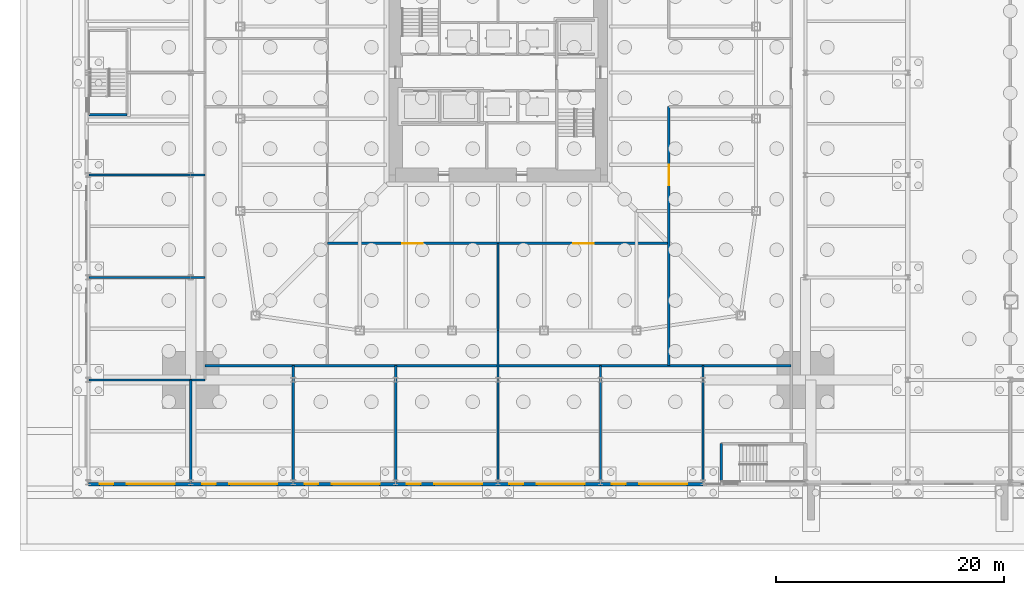
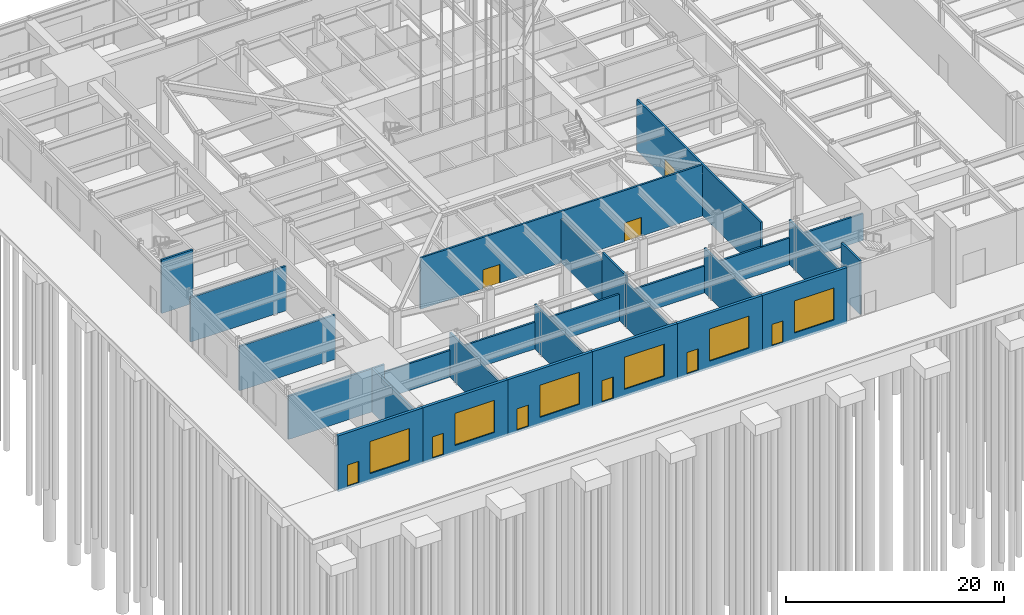
# One storey, part 13 of 37: 22 walls, 9 doors, 6 windows, 15 openings.
"""IFC4 building model written with IfcOpenShell, lengths in metres."""

from ifc_helpers import new_model, si_unit, direction, frame, frame_2d, origin, place, context, subcontext, project, spatial, rectangle, extrude, material, layer, layer_set, type_object, element, fill, save


model = new_model("IFC4")

# Units and contexts
model_context = context("Model", 3, precision=1e-05, world=origin(), true_north=direction((0.0, 1.0)))
body_context = subcontext(model_context, "Body", "Model", "MODEL_VIEW")
ifc_project = project(units=[si_unit("LENGTHUNIT", "METRE"), si_unit("AREAUNIT", "SQUARE_METRE"), si_unit("VOLUMEUNIT", "CUBIC_METRE"), si_unit("PLANEANGLEUNIT", "RADIAN"), si_unit("MASSUNIT", "GRAM", prefix="KILO")], contexts=[model_context])

# Site, building, storey
site_placement = place(None, origin())
site = spatial("IfcSite", under=ifc_project, at=site_placement, CompositionType="ELEMENT")
building_placement = place(site_placement, origin())
building = spatial("IfcBuilding", under=site, at=building_placement, Name="Iwan Alto Co-Living Towers", CompositionType="ELEMENT")
storey_placement = place(building_placement, origin())
storey = spatial("IfcBuildingStorey", under=building, at=storey_placement, Name="L00", CompositionType="ELEMENT", Elevation=0.0)

# Wall, openings, door, window
ifc_material_1 = material(Name="Fired clay brick facing", Category="masonry")
ifc_layer_1 = layer(ifc_material_1, 0.10009765625, Name="Brick facing", Category="Finish")
ifc_material_2 = material(Name="Concrete f'c 70 MPa", Category="concrete")
ifc_layer_2 = layer(ifc_material_2, 0.199951171875, Name="Reinforced concrete", Category="LoadBearing")
ifc_layer_set_1 = layer_set([ifc_layer_1, ifc_layer_2], Name="PODIUM BRICK WALL 300")
wall_type_1 = type_object("IfcWallType", Name="PODIUM BRICK WALL 300", PredefinedType="SOLIDWALL", material=ifc_layer_set_1)
wall_1_placement = place(storey_placement, frame((-36.0, -36.14990234375, -0.25), z_axis=(0.0, 0.0, 1.0), x_axis=(1.0, 0.0, 0.0)))
wall_1 = element("IfcWall", 1, at=wall_1_placement, inside=storey, type_object=wall_type_1, Name="Podium wall S L00", PredefinedType="SOLIDWALL", context=body_context, shape_type="SweptSolid", body=[
    extrude(rectangle(XDim=9.0, YDim=0.300048828125, at=frame_2d((4.5, 0.0))), origin(), (0.0, 0.0, 1.0), 6.25),
])
opening_1_placement = place(wall_1_placement, frame((1.0, 0.0, 0.25)))
opening_1 = element("IfcOpeningElement", 2, at=opening_1_placement, cuts=wall_1, Name="Opening DE1", PredefinedType="OPENING", context=body_context, shape_type="SweptSolid", body=[
    extrude(rectangle(XDim=1.199951171875, YDim=2.39990234375, at=frame_2d((0.60009765625, 1.199951171875))), frame((0.0, 0.159912109375, 0.0), z_axis=(0.0, -1.0, 0.0), x_axis=(1.0, 0.0, 0.0)), (0.0, 0.0, 1.0), 0.320068359375),
])
opening_2_placement = place(wall_1_placement, frame((3.39990234375, 0.0, 0.85009765625)))
opening_2 = element("IfcOpeningElement", 3, at=opening_2_placement, cuts=wall_1, Name="Opening WN2", PredefinedType="OPENING", context=body_context, shape_type="SweptSolid", body=[
    extrude(rectangle(XDim=4.199951171875, YDim=3.60009765625, at=frame_2d((2.10009765625, 1.800048828125))), frame((0.0, 0.159912109375, 0.0), z_axis=(0.0, -1.0, 0.0), x_axis=(1.0, 0.0, 0.0)), (0.0, 0.0, 1.0), 0.320068359375),
])
ifc_material_3 = material(Name="Bronze aluminium glazed door", Category="aluminium")
door_type_1 = type_object("IfcDoorType", Name="SHOP DOOR 1200X2400", OperationType="SINGLE_SWING_LEFT", PredefinedType="DOOR", material=ifc_material_3)
door_1_placement = place(opening_1_placement, frame((1.199951171875, 0.0, 0.0), z_axis=(0.0, 0.0, 1.0), x_axis=(-1.0, 0.0, 0.0)))
door_1 = element("IfcDoor", 4, at=door_1_placement, inside=storey, type_object=door_type_1, Name="Shop door", OperationType="SINGLE_SWING_RIGHT", OverallHeight=2.39990234375, OverallWidth=1.199951171875, PredefinedType="DOOR", context=body_context, shape_type="SweptSolid", body=[
    extrude(rectangle(XDim=1.199951171875, YDim=2.39990234375, at=frame_2d((0.60009765625, 1.199951171875))), frame((0.0, 0.02490234375, 0.0), z_axis=(0.0, -1.0, 0.0), x_axis=(1.0, 0.0, 0.0)), (0.0, 0.0, 1.0), 0.050048828125),
])
fill(opening_1, door_1)
ifc_material_4 = material(Name="Bronze aluminium shopfront frame", Category="aluminium")
window_type = type_object("IfcWindowType", Name="WN2 SHOPFRONT 4200X3600", PartitioningType="SINGLE_PANEL", PredefinedType="WINDOW", material=ifc_material_4)
window_1_placement = place(opening_2_placement, origin())
window_1 = element("IfcWindow", 5, at=window_1_placement, inside=storey, type_object=window_type, Name="Shopfront", OverallHeight=3.60009765625, OverallWidth=4.199951171875, PartitioningType="SINGLE_PANEL", PredefinedType="WINDOW", context=body_context, shape_type="SweptSolid", body=[
    extrude(rectangle(XDim=4.199951171875, YDim=3.60009765625, at=frame_2d((2.10009765625, 1.800048828125))), frame((0.0, 0.030029296875, 0.0), z_axis=(0.0, -1.0, 0.0), x_axis=(1.0, 0.0, 0.0)), (0.0, 0.0, 1.0), 0.06005859375),
])
fill(opening_2, window_1)

wall_2_placement = place(storey_placement, frame((-27.0, -36.14990234375, -0.25), z_axis=(0.0, 0.0, 1.0), x_axis=(1.0, 0.0, 0.0)))
wall_2 = element("IfcWall", 6, at=wall_2_placement, inside=storey, type_object=wall_type_1, Name="Podium wall S L00", PredefinedType="SOLIDWALL", context=body_context, shape_type="SweptSolid", body=[
    extrude(rectangle(XDim=9.0, YDim=0.300048828125, at=frame_2d((4.5, 0.0))), origin(), (0.0, 0.0, 1.0), 6.25),
])
opening_3_placement = place(wall_2_placement, frame((1.0, 0.0, 0.25)))
opening_3 = element("IfcOpeningElement", 7, at=opening_3_placement, cuts=wall_2, Name="Opening DE1", PredefinedType="OPENING", context=body_context, shape_type="SweptSolid", body=[
    extrude(rectangle(XDim=1.199951171875, YDim=2.39990234375, at=frame_2d((0.60009765625, 1.199951171875))), frame((0.0, 0.159912109375, 0.0), z_axis=(0.0, -1.0, 0.0), x_axis=(1.0, 0.0, 0.0)), (0.0, 0.0, 1.0), 0.320068359375),
])
opening_4_placement = place(wall_2_placement, frame((3.39990234375, 0.0, 0.85009765625)))
opening_4 = element("IfcOpeningElement", 8, at=opening_4_placement, cuts=wall_2, Name="Opening WN2", PredefinedType="OPENING", context=body_context, shape_type="SweptSolid", body=[
    extrude(rectangle(XDim=4.199951171875, YDim=3.60009765625, at=frame_2d((2.10009765625, 1.800048828125))), frame((0.0, 0.159912109375, 0.0), z_axis=(0.0, -1.0, 0.0), x_axis=(1.0, 0.0, 0.0)), (0.0, 0.0, 1.0), 0.320068359375),
])
door_2_placement = place(opening_3_placement, frame((1.199951171875, 0.0, 0.0), z_axis=(0.0, 0.0, 1.0), x_axis=(-1.0, 0.0, 0.0)))
door_2 = element("IfcDoor", 9, at=door_2_placement, inside=storey, type_object=door_type_1, Name="Shop door", OperationType="SINGLE_SWING_RIGHT", OverallHeight=2.39990234375, OverallWidth=1.199951171875, PredefinedType="DOOR", context=body_context, shape_type="SweptSolid", body=[
    extrude(rectangle(XDim=1.199951171875, YDim=2.39990234375, at=frame_2d((0.60009765625, 1.199951171875))), frame((0.0, 0.02490234375, 0.0), z_axis=(0.0, -1.0, 0.0), x_axis=(1.0, 0.0, 0.0)), (0.0, 0.0, 1.0), 0.050048828125),
])
fill(opening_3, door_2)
window_2_placement = place(opening_4_placement, origin())
window_2 = element("IfcWindow", 10, at=window_2_placement, inside=storey, type_object=window_type, Name="Shopfront", OverallHeight=3.60009765625, OverallWidth=4.199951171875, PartitioningType="SINGLE_PANEL", PredefinedType="WINDOW", context=body_context, shape_type="SweptSolid", body=[
    extrude(rectangle(XDim=4.199951171875, YDim=3.60009765625, at=frame_2d((2.10009765625, 1.800048828125))), frame((0.0, 0.030029296875, 0.0), z_axis=(0.0, -1.0, 0.0), x_axis=(1.0, 0.0, 0.0)), (0.0, 0.0, 1.0), 0.06005859375),
])
fill(opening_4, window_2)

wall_3_placement = place(storey_placement, frame((-18.0, -36.14990234375, -0.25), z_axis=(0.0, 0.0, 1.0), x_axis=(1.0, 0.0, 0.0)))
wall_3 = element("IfcWall", 11, at=wall_3_placement, inside=storey, type_object=wall_type_1, Name="Podium wall S L00", PredefinedType="SOLIDWALL", context=body_context, shape_type="SweptSolid", body=[
    extrude(rectangle(XDim=9.0, YDim=0.300048828125, at=frame_2d((4.5, 0.0))), origin(), (0.0, 0.0, 1.0), 6.25),
])
opening_5_placement = place(wall_3_placement, frame((1.0, 0.0, 0.25)))
opening_5 = element("IfcOpeningElement", 12, at=opening_5_placement, cuts=wall_3, Name="Opening DE1", PredefinedType="OPENING", context=body_context, shape_type="SweptSolid", body=[
    extrude(rectangle(XDim=1.199951171875, YDim=2.39990234375, at=frame_2d((0.60009765625, 1.199951171875))), frame((0.0, 0.159912109375, 0.0), z_axis=(0.0, -1.0, 0.0), x_axis=(1.0, 0.0, 0.0)), (0.0, 0.0, 1.0), 0.320068359375),
])
opening_6_placement = place(wall_3_placement, frame((3.39990234375, 0.0, 0.85009765625)))
opening_6 = element("IfcOpeningElement", 13, at=opening_6_placement, cuts=wall_3, Name="Opening WN2", PredefinedType="OPENING", context=body_context, shape_type="SweptSolid", body=[
    extrude(rectangle(XDim=4.199951171875, YDim=3.60009765625, at=frame_2d((2.10009765625, 1.800048828125))), frame((0.0, 0.159912109375, 0.0), z_axis=(0.0, -1.0, 0.0), x_axis=(1.0, 0.0, 0.0)), (0.0, 0.0, 1.0), 0.320068359375),
])
door_3_placement = place(opening_5_placement, frame((1.199951171875, 0.0, 0.0), z_axis=(0.0, 0.0, 1.0), x_axis=(-1.0, 0.0, 0.0)))
door_3 = element("IfcDoor", 14, at=door_3_placement, inside=storey, type_object=door_type_1, Name="Shop door", OperationType="SINGLE_SWING_RIGHT", OverallHeight=2.39990234375, OverallWidth=1.199951171875, PredefinedType="DOOR", context=body_context, shape_type="SweptSolid", body=[
    extrude(rectangle(XDim=1.199951171875, YDim=2.39990234375, at=frame_2d((0.60009765625, 1.199951171875))), frame((0.0, 0.02490234375, 0.0), z_axis=(0.0, -1.0, 0.0), x_axis=(1.0, 0.0, 0.0)), (0.0, 0.0, 1.0), 0.050048828125),
])
fill(opening_5, door_3)
window_3_placement = place(opening_6_placement, origin())
window_3 = element("IfcWindow", 15, at=window_3_placement, inside=storey, type_object=window_type, Name="Shopfront", OverallHeight=3.60009765625, OverallWidth=4.199951171875, PartitioningType="SINGLE_PANEL", PredefinedType="WINDOW", context=body_context, shape_type="SweptSolid", body=[
    extrude(rectangle(XDim=4.199951171875, YDim=3.60009765625, at=frame_2d((2.10009765625, 1.800048828125))), frame((0.0, 0.030029296875, 0.0), z_axis=(0.0, -1.0, 0.0), x_axis=(1.0, 0.0, 0.0)), (0.0, 0.0, 1.0), 0.06005859375),
])
fill(opening_6, window_3)

wall_4_placement = place(storey_placement, frame((-9.0, -36.14990234375, -0.25), z_axis=(0.0, 0.0, 1.0), x_axis=(1.0, 0.0, 0.0)))
wall_4 = element("IfcWall", 16, at=wall_4_placement, inside=storey, type_object=wall_type_1, Name="Podium wall S L00", PredefinedType="SOLIDWALL", context=body_context, shape_type="SweptSolid", body=[
    extrude(rectangle(XDim=9.0, YDim=0.300048828125, at=frame_2d((4.5, 0.0))), origin(), (0.0, 0.0, 1.0), 6.25),
])
opening_7_placement = place(wall_4_placement, frame((1.0, 0.0, 0.25)))
opening_7 = element("IfcOpeningElement", 17, at=opening_7_placement, cuts=wall_4, Name="Opening DE1", PredefinedType="OPENING", context=body_context, shape_type="SweptSolid", body=[
    extrude(rectangle(XDim=1.199951171875, YDim=2.39990234375, at=frame_2d((0.60009765625, 1.199951171875))), frame((0.0, 0.159912109375, 0.0), z_axis=(0.0, -1.0, 0.0), x_axis=(1.0, 0.0, 0.0)), (0.0, 0.0, 1.0), 0.320068359375),
])
opening_8_placement = place(wall_4_placement, frame((3.39990234375, 0.0, 0.85009765625)))
opening_8 = element("IfcOpeningElement", 18, at=opening_8_placement, cuts=wall_4, Name="Opening WN2", PredefinedType="OPENING", context=body_context, shape_type="SweptSolid", body=[
    extrude(rectangle(XDim=4.199951171875, YDim=3.60009765625, at=frame_2d((2.10009765625, 1.800048828125))), frame((0.0, 0.159912109375, 0.0), z_axis=(0.0, -1.0, 0.0), x_axis=(1.0, 0.0, 0.0)), (0.0, 0.0, 1.0), 0.320068359375),
])
door_4_placement = place(opening_7_placement, frame((1.199951171875, 0.0, 0.0), z_axis=(0.0, 0.0, 1.0), x_axis=(-1.0, 0.0, 0.0)))
door_4 = element("IfcDoor", 19, at=door_4_placement, inside=storey, type_object=door_type_1, Name="Shop door", OperationType="SINGLE_SWING_RIGHT", OverallHeight=2.39990234375, OverallWidth=1.199951171875, PredefinedType="DOOR", context=body_context, shape_type="SweptSolid", body=[
    extrude(rectangle(XDim=1.199951171875, YDim=2.39990234375, at=frame_2d((0.60009765625, 1.199951171875))), frame((0.0, 0.02490234375, 0.0), z_axis=(0.0, -1.0, 0.0), x_axis=(1.0, 0.0, 0.0)), (0.0, 0.0, 1.0), 0.050048828125),
])
fill(opening_7, door_4)
window_4_placement = place(opening_8_placement, origin())
window_4 = element("IfcWindow", 20, at=window_4_placement, inside=storey, type_object=window_type, Name="Shopfront", OverallHeight=3.60009765625, OverallWidth=4.199951171875, PartitioningType="SINGLE_PANEL", PredefinedType="WINDOW", context=body_context, shape_type="SweptSolid", body=[
    extrude(rectangle(XDim=4.199951171875, YDim=3.60009765625, at=frame_2d((2.10009765625, 1.800048828125))), frame((0.0, 0.030029296875, 0.0), z_axis=(0.0, -1.0, 0.0), x_axis=(1.0, 0.0, 0.0)), (0.0, 0.0, 1.0), 0.06005859375),
])
fill(opening_8, window_4)

wall_5_placement = place(storey_placement, frame((0.0, -36.14990234375, -0.25), z_axis=(0.0, 0.0, 1.0), x_axis=(1.0, 0.0, 0.0)))
wall_5 = element("IfcWall", 21, at=wall_5_placement, inside=storey, type_object=wall_type_1, Name="Podium wall S L00", PredefinedType="SOLIDWALL", context=body_context, shape_type="SweptSolid", body=[
    extrude(rectangle(XDim=9.0, YDim=0.300048828125, at=frame_2d((4.5, 0.0))), origin(), (0.0, 0.0, 1.0), 6.25),
])
opening_9_placement = place(wall_5_placement, frame((1.0, 0.0, 0.25)))
opening_9 = element("IfcOpeningElement", 22, at=opening_9_placement, cuts=wall_5, Name="Opening DE1", PredefinedType="OPENING", context=body_context, shape_type="SweptSolid", body=[
    extrude(rectangle(XDim=1.199951171875, YDim=2.39990234375, at=frame_2d((0.60009765625, 1.199951171875))), frame((0.0, 0.159912109375, 0.0), z_axis=(0.0, -1.0, 0.0), x_axis=(1.0, 0.0, 0.0)), (0.0, 0.0, 1.0), 0.320068359375),
])
opening_10_placement = place(wall_5_placement, frame((3.39990234375, 0.0, 0.85009765625)))
opening_10 = element("IfcOpeningElement", 23, at=opening_10_placement, cuts=wall_5, Name="Opening WN2", PredefinedType="OPENING", context=body_context, shape_type="SweptSolid", body=[
    extrude(rectangle(XDim=4.199951171875, YDim=3.60009765625, at=frame_2d((2.10009765625, 1.800048828125))), frame((0.0, 0.159912109375, 0.0), z_axis=(0.0, -1.0, 0.0), x_axis=(1.0, 0.0, 0.0)), (0.0, 0.0, 1.0), 0.320068359375),
])
door_5_placement = place(opening_9_placement, frame((1.199951171875, 0.0, 0.0), z_axis=(0.0, 0.0, 1.0), x_axis=(-1.0, 0.0, 0.0)))
door_5 = element("IfcDoor", 24, at=door_5_placement, inside=storey, type_object=door_type_1, Name="Shop door", OperationType="SINGLE_SWING_RIGHT", OverallHeight=2.39990234375, OverallWidth=1.199951171875, PredefinedType="DOOR", context=body_context, shape_type="SweptSolid", body=[
    extrude(rectangle(XDim=1.199951171875, YDim=2.39990234375, at=frame_2d((0.60009765625, 1.199951171875))), frame((0.0, 0.02490234375, 0.0), z_axis=(0.0, -1.0, 0.0), x_axis=(1.0, 0.0, 0.0)), (0.0, 0.0, 1.0), 0.050048828125),
])
fill(opening_9, door_5)
window_5_placement = place(opening_10_placement, origin())
window_5 = element("IfcWindow", 25, at=window_5_placement, inside=storey, type_object=window_type, Name="Shopfront", OverallHeight=3.60009765625, OverallWidth=4.199951171875, PartitioningType="SINGLE_PANEL", PredefinedType="WINDOW", context=body_context, shape_type="SweptSolid", body=[
    extrude(rectangle(XDim=4.199951171875, YDim=3.60009765625, at=frame_2d((2.10009765625, 1.800048828125))), frame((0.0, 0.030029296875, 0.0), z_axis=(0.0, -1.0, 0.0), x_axis=(1.0, 0.0, 0.0)), (0.0, 0.0, 1.0), 0.06005859375),
])
fill(opening_10, window_5)

wall_6_placement = place(storey_placement, frame((9.0, -36.14990234375, -0.25), z_axis=(0.0, 0.0, 1.0), x_axis=(1.0, 0.0, 0.0)))
wall_6 = element("IfcWall", 26, at=wall_6_placement, inside=storey, type_object=wall_type_1, Name="Podium wall S L00", PredefinedType="SOLIDWALL", context=body_context, shape_type="SweptSolid", body=[
    extrude(rectangle(XDim=9.0, YDim=0.300048828125, at=frame_2d((4.5, 0.0))), origin(), (0.0, 0.0, 1.0), 6.25),
])
opening_11_placement = place(wall_6_placement, frame((1.0, 0.0, 0.25)))
opening_11 = element("IfcOpeningElement", 27, at=opening_11_placement, cuts=wall_6, Name="Opening DE1", PredefinedType="OPENING", context=body_context, shape_type="SweptSolid", body=[
    extrude(rectangle(XDim=1.199951171875, YDim=2.39990234375, at=frame_2d((0.60009765625, 1.199951171875))), frame((0.0, 0.159912109375, 0.0), z_axis=(0.0, -1.0, 0.0), x_axis=(1.0, 0.0, 0.0)), (0.0, 0.0, 1.0), 0.320068359375),
])
opening_12_placement = place(wall_6_placement, frame((3.39990234375, 0.0, 0.85009765625)))
opening_12 = element("IfcOpeningElement", 28, at=opening_12_placement, cuts=wall_6, Name="Opening WN2", PredefinedType="OPENING", context=body_context, shape_type="SweptSolid", body=[
    extrude(rectangle(XDim=4.199951171875, YDim=3.60009765625, at=frame_2d((2.10009765625, 1.800048828125))), frame((0.0, 0.159912109375, 0.0), z_axis=(0.0, -1.0, 0.0), x_axis=(1.0, 0.0, 0.0)), (0.0, 0.0, 1.0), 0.320068359375),
])
door_6_placement = place(opening_11_placement, frame((1.199951171875, 0.0, 0.0), z_axis=(0.0, 0.0, 1.0), x_axis=(-1.0, 0.0, 0.0)))
door_6 = element("IfcDoor", 29, at=door_6_placement, inside=storey, type_object=door_type_1, Name="Shop door", OperationType="SINGLE_SWING_RIGHT", OverallHeight=2.39990234375, OverallWidth=1.199951171875, PredefinedType="DOOR", context=body_context, shape_type="SweptSolid", body=[
    extrude(rectangle(XDim=1.199951171875, YDim=2.39990234375, at=frame_2d((0.60009765625, 1.199951171875))), frame((0.0, 0.02490234375, 0.0), z_axis=(0.0, -1.0, 0.0), x_axis=(1.0, 0.0, 0.0)), (0.0, 0.0, 1.0), 0.050048828125),
])
fill(opening_11, door_6)
window_6_placement = place(opening_12_placement, origin())
window_6 = element("IfcWindow", 30, at=window_6_placement, inside=storey, type_object=window_type, Name="Shopfront", OverallHeight=3.60009765625, OverallWidth=4.199951171875, PartitioningType="SINGLE_PANEL", PredefinedType="WINDOW", context=body_context, shape_type="SweptSolid", body=[
    extrude(rectangle(XDim=4.199951171875, YDim=3.60009765625, at=frame_2d((2.10009765625, 1.800048828125))), frame((0.0, 0.030029296875, 0.0), z_axis=(0.0, -1.0, 0.0), x_axis=(1.0, 0.0, 0.0)), (0.0, 0.0, 1.0), 0.06005859375),
])
fill(opening_12, window_6)

# Walls
ifc_material_5 = material(Name="Concrete block masonry f*p 10 MPa", Category="masonry")
ifc_layer_3 = layer(ifc_material_5, 0.199951171875)
ifc_layer_set_2 = layer_set([ifc_layer_3], Name="PODIUM INTERNAL WALL 200")
wall_type_2 = type_object("IfcWallType", Name="PODIUM INTERNAL WALL 200", PredefinedType="SOLIDWALL", material=ifc_layer_set_2)
wall_7_placement = place(storey_placement, frame((-35.93994140625, -27.0, 0.0), z_axis=(0.0, 0.0, 1.0), x_axis=(1.0, 0.0, 0.0)))
element("IfcWall", 31, at=wall_7_placement, inside=storey, type_object=wall_type_2, Name="Partition L00", PredefinedType="SOLIDWALL", context=body_context, shape_type="SweptSolid", body=[
    extrude(rectangle(XDim=10.18994140625, YDim=0.199951171875, at=frame_2d((5.094970703125, 0.0))), origin(), (0.0, 0.0, 1.0), 4.85009765625),
])
wall_8_placement = place(storey_placement, frame((-25.75, -25.75, 0.0), z_axis=(0.0, 0.0, 1.0), x_axis=(1.0, 0.0, 0.0)))
element("IfcWall", 32, at=wall_8_placement, inside=storey, type_object=wall_type_2, Name="Partition L00", PredefinedType="SOLIDWALL", context=body_context, shape_type="SweptSolid", body=[
    extrude(rectangle(XDim=51.5, YDim=0.199951171875, at=frame_2d((25.75, 0.0))), origin(), (0.0, 0.0, 1.0), 3.0),
])
wall_9_placement = place(storey_placement, frame((-35.93994140625, -18.0, 0.0), z_axis=(0.0, 0.0, 1.0), x_axis=(1.0, 0.0, 0.0)))
element("IfcWall", 33, at=wall_9_placement, inside=storey, type_object=wall_type_2, Name="Partition L00", PredefinedType="SOLIDWALL", context=body_context, shape_type="SweptSolid", body=[
    extrude(rectangle(XDim=10.18994140625, YDim=0.199951171875, at=frame_2d((5.094970703125, 0.0))), origin(), (0.0, 0.0, 1.0), 4.98046875),
])

# Wall, openings, doors
wall_10_placement = place(storey_placement, frame((-15.0, -15.0, 0.0), z_axis=(0.0, 0.0, 1.0), x_axis=(1.0, 0.0, 0.0)))
wall_10 = element("IfcWall", 34, at=wall_10_placement, inside=storey, type_object=wall_type_2, Name="Partition L00", PredefinedType="SOLIDWALL", context=body_context, shape_type="SweptSolid", body=[
    extrude(rectangle(XDim=30.0, YDim=0.199951171875, at=frame_2d((15.0, 0.0))), origin(), (0.0, 0.0, 1.0), 5.75),
])
opening_13_placement = place(wall_10_placement, frame((6.60009765625, 0.0, 0.0)))
opening_13 = element("IfcOpeningElement", 35, at=opening_13_placement, cuts=wall_10, Name="Opening D9", PredefinedType="OPENING", context=body_context, shape_type="SweptSolid", body=[
    extrude(rectangle(XDim=1.800048828125, YDim=2.10009765625, at=frame_2d((0.89990234375, 1.050048828125))), frame((0.0, 0.10986328125, 0.0), z_axis=(0.0, -1.0, 0.0), x_axis=(1.0, 0.0, 0.0)), (0.0, 0.0, 1.0), 0.219970703125),
])
opening_14_placement = place(wall_10_placement, frame((21.60009765625, 0.0, 0.0)))
opening_14 = element("IfcOpeningElement", 36, at=opening_14_placement, cuts=wall_10, Name="Opening D9", PredefinedType="OPENING", context=body_context, shape_type="SweptSolid", body=[
    extrude(rectangle(XDim=1.800048828125, YDim=2.10009765625, at=frame_2d((0.89990234375, 1.050048828125))), frame((0.0, 0.10986328125, 0.0), z_axis=(0.0, -1.0, 0.0), x_axis=(1.0, 0.0, 0.0)), (0.0, 0.0, 1.0), 0.219970703125),
])
ifc_material_6 = material(Name="Steel frame with timber leaf", Category="steel")
door_type_2 = type_object("IfcDoorType", Name="LOUNGE DOOR FD30S 1800X2100", OperationType="DOUBLE_DOOR_SINGLE_SWING", PredefinedType="DOOR", material=ifc_material_6)
door_7_placement = place(opening_13_placement, frame((1.800048828125, 0.0, 0.0), z_axis=(0.0, 0.0, 1.0), x_axis=(-1.0, 0.0, 0.0)))
door_7 = element("IfcDoor", 37, at=door_7_placement, inside=storey, type_object=door_type_2, Name="Leasing and management office door L00", OperationType="DOUBLE_DOOR_SINGLE_SWING", OverallHeight=2.10009765625, OverallWidth=1.800048828125, PredefinedType="DOOR", context=body_context, shape_type="SweptSolid", body=[
    extrude(rectangle(XDim=1.800048828125, YDim=2.10009765625, at=frame_2d((0.89990234375, 1.050048828125))), frame((0.0, 0.02490234375, 0.0), z_axis=(0.0, -1.0, 0.0), x_axis=(1.0, 0.0, 0.0)), (0.0, 0.0, 1.0), 0.050048828125),
])
fill(opening_13, door_7)
door_8_placement = place(opening_14_placement, frame((1.800048828125, 0.0, 0.0), z_axis=(0.0, 0.0, 1.0), x_axis=(-1.0, 0.0, 0.0)))
door_8 = element("IfcDoor", 38, at=door_8_placement, inside=storey, type_object=door_type_2, Name="Mail and parcel room door L00", OperationType="DOUBLE_DOOR_SINGLE_SWING", OverallHeight=2.10009765625, OverallWidth=1.800048828125, PredefinedType="DOOR", context=body_context, shape_type="SweptSolid", body=[
    extrude(rectangle(XDim=1.800048828125, YDim=2.10009765625, at=frame_2d((0.89990234375, 1.050048828125))), frame((0.0, 0.02490234375, 0.0), z_axis=(0.0, -1.0, 0.0), x_axis=(1.0, 0.0, 0.0)), (0.0, 0.0, 1.0), 0.050048828125),
])
fill(opening_14, door_8)

# Walls
for number, where, z_axis, x_axis, name in (
    (39, (-35.93994140625, -9.0, 0.0), (0.0, 0.0, 1.0), (1.0, 0.0, 0.0), "Partition L00"),
    (40, (18.0, -35.93994140625, 0.0), (0.0, 0.0, 1.0), (0.0, 1.0, 0.0), "Partition L00"),
):
    element("IfcWall", number, at=place(storey_placement, frame(where, z_axis=z_axis, x_axis=x_axis)), inside=storey, type_object=wall_type_2, Name=name, PredefinedType="SOLIDWALL", context=body_context, shape_type="SweptSolid", body=[
        extrude(rectangle(XDim=10.18994140625, YDim=0.199951171875, at=frame_2d((5.094970703125, 0.0))), origin(), (0.0, 0.0, 1.0), 4.98046875),
    ])

# Wall, opening, door
wall_11_placement = place(storey_placement, frame((15.0, -25.75, 0.0), z_axis=(0.0, 0.0, 1.0), x_axis=(0.0, 1.0, 0.0)))
wall_11 = element("IfcWall", 41, at=wall_11_placement, inside=storey, type_object=wall_type_2, Name="Partition L00", PredefinedType="SOLIDWALL", context=body_context, shape_type="SweptSolid", body=[
    extrude(rectangle(XDim=22.75, YDim=0.199951171875, at=frame_2d((11.375, 0.0))), origin(), (0.0, 0.0, 1.0), 5.75),
])
opening_15_placement = place(wall_11_placement, frame((15.85009765625, 0.0, 0.0)))
opening_15 = element("IfcOpeningElement", 42, at=opening_15_placement, cuts=wall_11, Name="Opening D9", PredefinedType="OPENING", context=body_context, shape_type="SweptSolid", body=[
    extrude(rectangle(XDim=1.800048828125, YDim=2.10009765625, at=frame_2d((0.89990234375, 1.050048828125))), frame((0.0, 0.10986328125, 0.0), z_axis=(0.0, -1.0, 0.0), x_axis=(1.0, 0.0, 0.0)), (0.0, 0.0, 1.0), 0.219970703125),
])
door_9_placement = place(opening_15_placement, frame((1.800048828125, 0.0, 0.0), z_axis=(0.0, 0.0, 1.0), x_axis=(-1.0, 0.0, 0.0)))
door_9 = element("IfcDoor", 43, at=door_9_placement, inside=storey, type_object=door_type_2, Name="Event room door L00", OperationType="DOUBLE_DOOR_SINGLE_SWING", OverallHeight=2.10009765625, OverallWidth=1.800048828125, PredefinedType="DOOR", context=body_context, shape_type="SweptSolid", body=[
    extrude(rectangle(XDim=1.800048828125, YDim=2.10009765625, at=frame_2d((0.89990234375, 1.050048828125))), frame((0.0, 0.02490234375, 0.0), z_axis=(0.0, -1.0, 0.0), x_axis=(1.0, 0.0, 0.0)), (0.0, 0.0, 1.0), 0.050048828125),
])
fill(opening_15, door_9)

# Walls
wall_12_placement = place(storey_placement, frame((9.0, -35.93994140625, 0.0), z_axis=(0.0, 0.0, 1.0), x_axis=(0.0, 1.0, 0.0)))
element("IfcWall", 44, at=wall_12_placement, inside=storey, type_object=wall_type_2, Name="Partition L00", PredefinedType="SOLIDWALL", context=body_context, shape_type="SweptSolid", body=[
    extrude(rectangle(XDim=10.18994140625, YDim=0.199951171875, at=frame_2d((5.094970703125, 0.0))), origin(), (0.0, 0.0, 1.0), 4.98046875),
])
wall_13_placement = place(storey_placement, frame((0.0, -35.93994140625, 0.0), z_axis=(0.0, 0.0, 1.0), x_axis=(0.0, 1.0, 0.0)))
element("IfcWall", 45, at=wall_13_placement, inside=storey, type_object=wall_type_2, Name="Partition L00", PredefinedType="SOLIDWALL", context=body_context, shape_type="SweptSolid", body=[
    extrude(rectangle(XDim=8.93994140625, YDim=0.199951171875, at=frame_2d((4.469970703125, 0.0))), origin(), (0.0, 0.0, 1.0), 4.98046875),
])
for number, where, z_axis, x_axis, name in (
    (46, (-9.0, -35.93994140625, 0.0), (0.0, 0.0, 1.0), (0.0, 1.0, 0.0), "Partition L00"),
    (47, (-18.0, -35.93994140625, 0.0), (0.0, 0.0, 1.0), (0.0, 1.0, 0.0), "Partition L00"),
):
    element("IfcWall", number, at=place(storey_placement, frame(where, z_axis=z_axis, x_axis=x_axis)), inside=storey, type_object=wall_type_2, Name=name, PredefinedType="SOLIDWALL", context=body_context, shape_type="SweptSolid", body=[
        extrude(rectangle(XDim=10.18994140625, YDim=0.199951171875, at=frame_2d((5.094970703125, 0.0))), origin(), (0.0, 0.0, 1.0), 4.98046875),
    ])
wall_14_placement = place(storey_placement, frame((-27.0, -35.93994140625, 0.0), z_axis=(0.0, 0.0, 1.0), x_axis=(0.0, 1.0, 0.0)))
element("IfcWall", 48, at=wall_14_placement, inside=storey, type_object=wall_type_2, Name="Partition L00", PredefinedType="SOLIDWALL", context=body_context, shape_type="SweptSolid", body=[
    extrude(rectangle(XDim=8.93994140625, YDim=0.199951171875, at=frame_2d((4.469970703125, 0.0))), origin(), (0.0, 0.0, 1.0), 4.85009765625),
])
wall_15_placement = place(storey_placement, frame((0.0, -27.0, 0.0), z_axis=(0.0, 0.0, 1.0), x_axis=(0.0, 1.0, 0.0)))
element("IfcWall", 49, at=wall_15_placement, inside=storey, type_object=wall_type_2, Name="Partition L00", PredefinedType="SOLIDWALL", context=body_context, shape_type="SweptSolid", body=[
    extrude(rectangle(XDim=4.35009765625, YDim=0.199951171875, at=frame_2d((2.175048828125, 0.0))), origin(), (0.0, 0.0, 1.0), 5.75),
])
wall_16_placement = place(storey_placement, frame((0.0, -22.64990234375, 0.0), z_axis=(0.0, 0.0, 1.0), x_axis=(0.0, 1.0, 0.0)))
element("IfcWall", 50, at=wall_16_placement, inside=storey, type_object=wall_type_2, Name="Partition L00", PredefinedType="SOLIDWALL", context=body_context, shape_type="SweptSolid", body=[
    extrude(rectangle(XDim=7.64990234375, YDim=0.199951171875, at=frame_2d((3.824951171875, 0.0))), origin(), (0.0, 0.0, 1.0), 4.9091796875),
])
ifc_material_7 = material(Name="Concrete f'c 70 MPa", Category="concrete")
ifc_layer_4 = layer(ifc_material_7, 0.199951171875)
ifc_layer_set_3 = layer_set([ifc_layer_4], Name="SHAFT WALL 200")
wall_type_3 = type_object("IfcWallType", Name="SHAFT WALL 200", PredefinedType="SOLIDWALL", material=ifc_layer_set_3)
wall_17_placement = place(storey_placement, frame((-35.93994140625, -3.699951171875, 0.0), z_axis=(0.0, 0.0, 1.0), x_axis=(1.0, 0.0, 0.0)))
element("IfcWall", 51, at=wall_17_placement, inside=storey, type_object=wall_type_3, Name="Shaft wall L00", PredefinedType="SOLIDWALL", context=body_context, shape_type="SweptSolid", body=[
    extrude(rectangle(XDim=3.33984375, YDim=0.199951171875, at=frame_2d((1.669921875, 0.0))), origin(), (0.0, 0.0, 1.0), 6.0),
])
wall_18_placement = place(storey_placement, frame((19.60009765625, -36.0, 0.0), z_axis=(0.0, 0.0, 1.0), x_axis=(0.0, 1.0, 0.0)))
element("IfcWall", 52, at=wall_18_placement, inside=storey, type_object=wall_type_3, Name="Shaft wall L00", PredefinedType="SOLIDWALL", context=body_context, shape_type="SweptSolid", body=[
    extrude(rectangle(XDim=3.39990234375, YDim=0.199951171875, at=frame_2d((1.699951171875, 0.0))), origin(), (0.0, 0.0, 1.0), 6.0),
])

save(model, "model.ifc")
